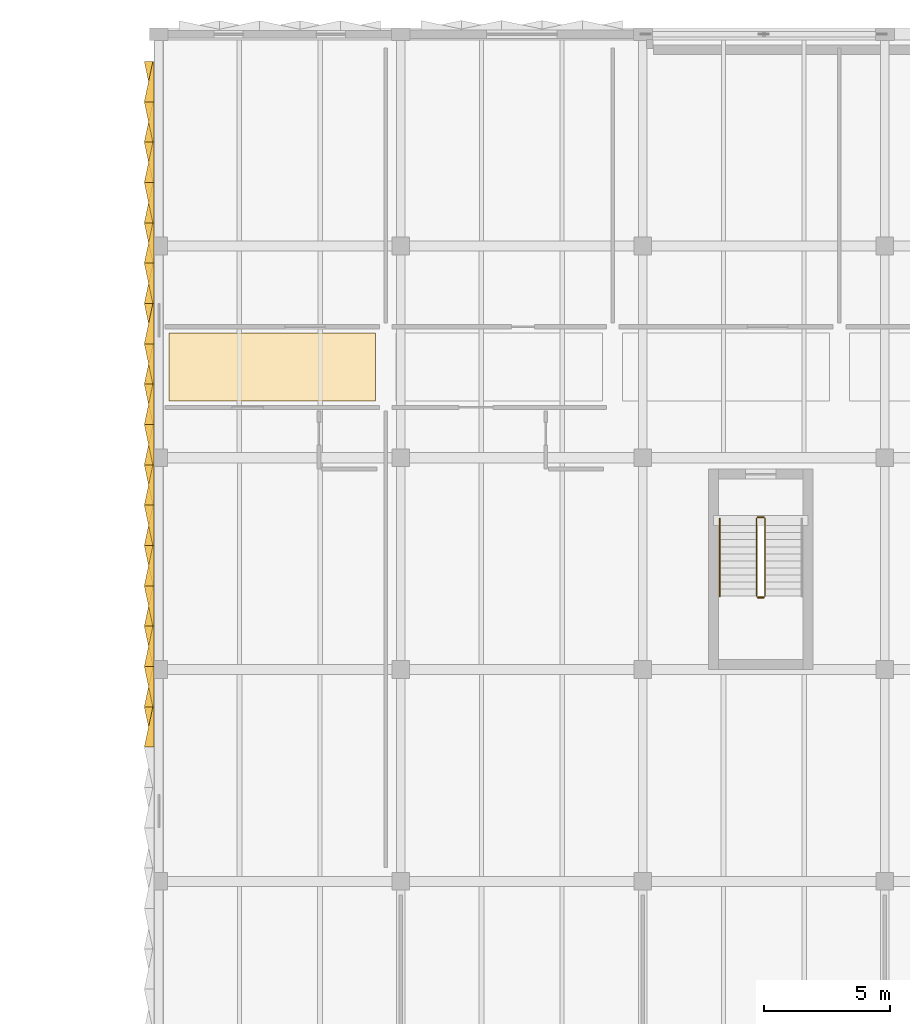
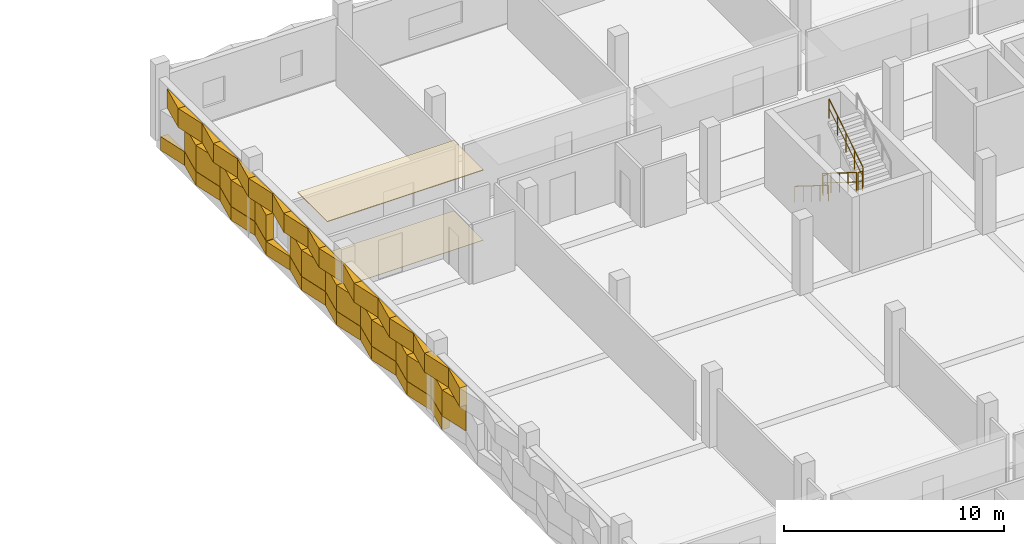
# One storey, part 54 of 57: 50 coverings, 5 railings.
"""IFC4 building model written with IfcOpenShell, lengths in metres."""

from ifc_helpers import new_model, si_unit, direction, frame, origin, origin_2d, place, context, subcontext, project, spatial, polyline, circle, outline, extrude, material, layer, layer_set, type_object, element, save


model = new_model("IFC4")

# Units and contexts
model_context = context("Model", 3, precision=1e-05, world=origin(), true_north=direction((0.0, 1.0)))
body_context = subcontext(model_context, "Body", "Model", "MODEL_VIEW")
ifc_project = project(units=[si_unit("LENGTHUNIT", "METRE"), si_unit("AREAUNIT", "SQUARE_METRE"), si_unit("VOLUMEUNIT", "CUBIC_METRE"), si_unit("PLANEANGLEUNIT", "RADIAN"), si_unit("MASSUNIT", "GRAM", prefix="KILO")], contexts=[model_context])

# Site, building, storey
site_placement = place(None, origin())
site = spatial("IfcSite", under=ifc_project, at=site_placement, CompositionType="ELEMENT")
building_placement = place(site_placement, origin())
building = spatial("IfcBuilding", under=site, at=building_placement, Name="Oolite Switchyard Hospital", CompositionType="ELEMENT")
storey_placement = place(building_placement, frame((0.0, 0.0, 17.800048828125)))
storey = spatial("IfcBuildingStorey", under=building, at=storey_placement, Name="L04", CompositionType="ELEMENT", Elevation=17.800048828125)

# Coverings
ifc_material_1 = material(Name="Hygienic washable mineral-fibre acoustic ceiling")
ifc_layer_1 = layer(ifc_material_1, 0.0400390625)
ifc_layer_set_1 = layer_set([ifc_layer_1], Name="COV-CEIL-AC60")
covering_type_1 = type_object("IfcCoveringType", Name="COV-CEIL-AC60", PredefinedType="CEILING", material=ifc_layer_set_1)
covering_1_placement = place(storey_placement, frame((0.0, 0.0, 3.885009765625)))
element("IfcCovering", 1, at=covering_1_placement, inside=storey, type_object=covering_type_1, Name="L04 East Inpatient Oncology Ward Corridor Ceiling 1", PredefinedType="CEILING", context=body_context, shape_type="SweptSolid", body=[
    extrude(outline(polyline([(134.800048828125, 119.85009765625), (143.0, 119.85009765625), (143.0, 122.550048828125), (134.800048828125, 122.550048828125), (134.800048828125, 119.85009765625)])), origin(), (0.0, 0.0, 1.0), 0.0400390625),
])
ifc_material_2 = material(Name="Precast oolitic limestone architectural concrete C40/50", Category="masonry")
covering_type_2 = type_object("IfcCoveringType", Name="COV-CHEV-COOL", PredefinedType="CLADDING", material=ifc_material_2)
covering_2_placement = place(storey_placement, frame((134.2099609375, 106.1201171875, 2.2900390625), z_axis=(0.0, 0.0, 1.0), x_axis=(0.0, 1.0, 0.0)))
element("IfcCovering", 2, at=covering_2_placement, inside=storey, type_object=covering_type_2, Name="L04 Chevron Precast Oolite Panel 892", PredefinedType="CLADDING", context=body_context, shape_type="SweptSolid", body=[
    extrude(outline(polyline([(0.0, 0.0), (1.599853515625, 0.0), (1.599853515625, 0.044921875), (0.0, 0.385009765625), (0.0, 0.0)])), origin(), (0.0, 0.0, 1.0), 1.0498046875),
])
covering_3_placement = place(storey_placement, frame((134.2099609375, 106.1201171875, 0.829833984375), z_axis=(0.0, 0.0, 1.0), x_axis=(0.0, 1.0, 0.0)))
element("IfcCovering", 3, at=covering_3_placement, inside=storey, type_object=covering_type_2, Name="L04 Chevron Precast Oolite Panel 893", PredefinedType="CLADDING", context=body_context, shape_type="SweptSolid", body=[
    extrude(outline(polyline([(0.0, 0.0), (1.599853515625, 0.0), (1.599853515625, 0.385009765625), (0.0, 0.044921875), (0.0, 0.0)])), origin(), (0.0, 0.0, 1.0), 1.440185546875),
])
covering_4_placement = place(storey_placement, frame((134.2099609375, 107.719970703125, 0.050048828125), z_axis=(0.0, 0.0, 1.0), x_axis=(0.0, 1.0, 0.0)))
element("IfcCovering", 4, at=covering_4_placement, inside=storey, type_object=covering_type_2, Name="L04 Chevron Precast Oolite Panel 894", PredefinedType="CLADDING", context=body_context, shape_type="SweptSolid", body=[
    extrude(outline(polyline([(0.0, 0.0), (1.60009765625, 0.0), (1.60009765625, 0.044921875), (0.0, 0.385009765625), (0.0, 0.0)])), origin(), (0.0, 0.0, 1.0), 0.760009765625),
])
covering_5_placement = place(storey_placement, frame((134.2099609375, 107.719970703125, 2.2900390625), z_axis=(0.0, 0.0, 1.0), x_axis=(0.0, 1.0, 0.0)))
element("IfcCovering", 5, at=covering_5_placement, inside=storey, type_object=covering_type_2, Name="L04 Chevron Precast Oolite Panel 895", PredefinedType="CLADDING", context=body_context, shape_type="SweptSolid", body=[
    extrude(outline(polyline([(0.0, 0.0), (1.60009765625, 0.0), (1.60009765625, 0.385009765625), (0.0, 0.044921875), (0.0, 0.0)])), origin(), (0.0, 0.0, 1.0), 1.0498046875),
])
covering_6_placement = place(storey_placement, frame((134.2099609375, 107.719970703125, 0.829833984375), z_axis=(0.0, 0.0, 1.0), x_axis=(0.0, 1.0, 0.0)))
element("IfcCovering", 6, at=covering_6_placement, inside=storey, type_object=covering_type_2, Name="L04 Chevron Precast Oolite Panel 896", PredefinedType="CLADDING", context=body_context, shape_type="SweptSolid", body=[
    extrude(outline(polyline([(0.0, 0.0), (1.60009765625, 0.0), (1.60009765625, 0.044921875), (0.0, 0.385009765625), (0.0, 0.0)])), origin(), (0.0, 0.0, 1.0), 1.440185546875),
])
covering_7_placement = place(storey_placement, frame((134.2099609375, 109.320068359375, 0.050048828125), z_axis=(0.0, 0.0, 1.0), x_axis=(0.0, 1.0, 0.0)))
element("IfcCovering", 7, at=covering_7_placement, inside=storey, type_object=covering_type_2, Name="L04 Chevron Precast Oolite Panel 897", PredefinedType="CLADDING", context=body_context, shape_type="SweptSolid", body=[
    extrude(outline(polyline([(0.0, 0.0), (1.599853515625, 0.0), (1.599853515625, 0.385009765625), (0.0, 0.044921875), (0.0, 0.0)])), origin(), (0.0, 0.0, 1.0), 0.760009765625),
])
covering_8_placement = place(storey_placement, frame((134.2099609375, 109.320068359375, 2.2900390625), z_axis=(0.0, 0.0, 1.0), x_axis=(0.0, 1.0, 0.0)))
element("IfcCovering", 8, at=covering_8_placement, inside=storey, type_object=covering_type_2, Name="L04 Chevron Precast Oolite Panel 898", PredefinedType="CLADDING", context=body_context, shape_type="SweptSolid", body=[
    extrude(outline(polyline([(0.0, 0.0), (1.599853515625, 0.0), (1.599853515625, 0.044921875), (0.0, 0.385009765625), (0.0, 0.0)])), origin(), (0.0, 0.0, 1.0), 1.0498046875),
])
covering_9_placement = place(storey_placement, frame((134.2099609375, 109.320068359375, 0.829833984375), z_axis=(0.0, 0.0, 1.0), x_axis=(0.0, 1.0, 0.0)))
element("IfcCovering", 9, at=covering_9_placement, inside=storey, type_object=covering_type_2, Name="L04 Chevron Precast Oolite Panel 899", PredefinedType="CLADDING", context=body_context, shape_type="SweptSolid", body=[
    extrude(outline(polyline([(0.0, 0.0), (1.599853515625, 0.0), (1.599853515625, 0.385009765625), (0.0, 0.044921875), (0.0, 0.0)])), origin(), (0.0, 0.0, 1.0), 1.440185546875),
])
covering_10_placement = place(storey_placement, frame((134.2099609375, 110.919921875, 0.050048828125), z_axis=(0.0, 0.0, 1.0), x_axis=(0.0, 1.0, 0.0)))
element("IfcCovering", 10, at=covering_10_placement, inside=storey, type_object=covering_type_2, Name="L04 Chevron Precast Oolite Panel 900", PredefinedType="CLADDING", context=body_context, shape_type="SweptSolid", body=[
    extrude(outline(polyline([(0.0, 0.0), (1.60009765625, 0.0), (1.60009765625, 0.044921875), (0.0, 0.385009765625), (0.0, 0.0)])), origin(), (0.0, 0.0, 1.0), 0.760009765625),
])
covering_11_placement = place(storey_placement, frame((134.2099609375, 110.919921875, 2.2900390625), z_axis=(0.0, 0.0, 1.0), x_axis=(0.0, 1.0, 0.0)))
element("IfcCovering", 11, at=covering_11_placement, inside=storey, type_object=covering_type_2, Name="L04 Chevron Precast Oolite Panel 901", PredefinedType="CLADDING", context=body_context, shape_type="SweptSolid", body=[
    extrude(outline(polyline([(0.0, 0.0), (1.60009765625, 0.0), (1.60009765625, 0.385009765625), (0.0, 0.044921875), (0.0, 0.0)])), origin(), (0.0, 0.0, 1.0), 1.0498046875),
])
covering_12_placement = place(storey_placement, frame((134.2099609375, 110.919921875, 0.829833984375), z_axis=(0.0, 0.0, 1.0), x_axis=(0.0, 1.0, 0.0)))
element("IfcCovering", 12, at=covering_12_placement, inside=storey, type_object=covering_type_2, Name="L04 Chevron Precast Oolite Panel 902", PredefinedType="CLADDING", context=body_context, shape_type="SweptSolid", body=[
    extrude(outline(polyline([(0.0, 0.0), (1.60009765625, 0.0), (1.60009765625, 0.044921875), (0.0, 0.385009765625), (0.0, 0.0)])), origin(), (0.0, 0.0, 1.0), 1.440185546875),
])
covering_13_placement = place(storey_placement, frame((134.2099609375, 112.52001953125, 0.050048828125), z_axis=(0.0, 0.0, 1.0), x_axis=(0.0, 1.0, 0.0)))
element("IfcCovering", 13, at=covering_13_placement, inside=storey, type_object=covering_type_2, Name="L04 Chevron Precast Oolite Panel 903", PredefinedType="CLADDING", context=body_context, shape_type="SweptSolid", body=[
    extrude(outline(polyline([(0.0, 0.0), (1.60009765625, 0.0), (1.60009765625, 0.385009765625), (0.0, 0.044921875), (0.0, 0.0)])), origin(), (0.0, 0.0, 1.0), 0.760009765625),
])
covering_14_placement = place(storey_placement, frame((134.2099609375, 112.52001953125, 2.2900390625), z_axis=(0.0, 0.0, 1.0), x_axis=(0.0, 1.0, 0.0)))
element("IfcCovering", 14, at=covering_14_placement, inside=storey, type_object=covering_type_2, Name="L04 Chevron Precast Oolite Panel 904", PredefinedType="CLADDING", context=body_context, shape_type="SweptSolid", body=[
    extrude(outline(polyline([(0.0, 0.0), (1.60009765625, 0.0), (1.60009765625, 0.044921875), (0.0, 0.385009765625), (0.0, 0.0)])), origin(), (0.0, 0.0, 1.0), 1.0498046875),
])
covering_15_placement = place(storey_placement, frame((134.2099609375, 112.52001953125, 0.829833984375), z_axis=(0.0, 0.0, 1.0), x_axis=(0.0, 1.0, 0.0)))
element("IfcCovering", 15, at=covering_15_placement, inside=storey, type_object=covering_type_2, Name="L04 Chevron Precast Oolite Panel 905", PredefinedType="CLADDING", context=body_context, shape_type="SweptSolid", body=[
    extrude(outline(polyline([(0.0, 0.0), (1.60009765625, 0.0), (1.60009765625, 0.385009765625), (0.0, 0.044921875), (0.0, 0.0)])), origin(), (0.0, 0.0, 1.0), 1.440185546875),
])
covering_16_placement = place(storey_placement, frame((134.2099609375, 114.1201171875, 0.050048828125), z_axis=(0.0, 0.0, 1.0), x_axis=(0.0, 1.0, 0.0)))
element("IfcCovering", 16, at=covering_16_placement, inside=storey, type_object=covering_type_2, Name="L04 Chevron Precast Oolite Panel 906", PredefinedType="CLADDING", context=body_context, shape_type="SweptSolid", body=[
    extrude(outline(polyline([(0.0, 0.0), (1.599853515625, 0.0), (1.599853515625, 0.044921875), (0.0, 0.385009765625), (0.0, 0.0)])), origin(), (0.0, 0.0, 1.0), 0.760009765625),
])
covering_17_placement = place(storey_placement, frame((134.2099609375, 114.1201171875, 2.2900390625), z_axis=(0.0, 0.0, 1.0), x_axis=(0.0, 1.0, 0.0)))
element("IfcCovering", 17, at=covering_17_placement, inside=storey, type_object=covering_type_2, Name="L04 Chevron Precast Oolite Panel 907", PredefinedType="CLADDING", context=body_context, shape_type="SweptSolid", body=[
    extrude(outline(polyline([(0.0, 0.0), (1.599853515625, 0.0), (1.599853515625, 0.385009765625), (0.0, 0.044921875), (0.0, 0.0)])), origin(), (0.0, 0.0, 1.0), 1.0498046875),
])
covering_18_placement = place(storey_placement, frame((134.2099609375, 114.1201171875, 0.829833984375), z_axis=(0.0, 0.0, 1.0), x_axis=(0.0, 1.0, 0.0)))
element("IfcCovering", 18, at=covering_18_placement, inside=storey, type_object=covering_type_2, Name="L04 Chevron Precast Oolite Panel 908", PredefinedType="CLADDING", context=body_context, shape_type="SweptSolid", body=[
    extrude(outline(polyline([(0.0, 0.0), (1.599853515625, 0.0), (1.599853515625, 0.044921875), (0.0, 0.385009765625), (0.0, 0.0)])), origin(), (0.0, 0.0, 1.0), 1.440185546875),
])
covering_19_placement = place(storey_placement, frame((134.2099609375, 115.719970703125, 0.050048828125), z_axis=(0.0, 0.0, 1.0), x_axis=(0.0, 1.0, 0.0)))
element("IfcCovering", 19, at=covering_19_placement, inside=storey, type_object=covering_type_2, Name="L04 Chevron Precast Oolite Panel 909", PredefinedType="CLADDING", context=body_context, shape_type="SweptSolid", body=[
    extrude(outline(polyline([(0.0, 0.0), (1.60009765625, 0.0), (1.60009765625, 0.385009765625), (0.0, 0.044921875), (0.0, 0.0)])), origin(), (0.0, 0.0, 1.0), 0.760009765625),
])
covering_20_placement = place(storey_placement, frame((134.2099609375, 115.719970703125, 2.2900390625), z_axis=(0.0, 0.0, 1.0), x_axis=(0.0, 1.0, 0.0)))
element("IfcCovering", 20, at=covering_20_placement, inside=storey, type_object=covering_type_2, Name="L04 Chevron Precast Oolite Panel 910", PredefinedType="CLADDING", context=body_context, shape_type="SweptSolid", body=[
    extrude(outline(polyline([(0.0, 0.0), (1.60009765625, 0.0), (1.60009765625, 0.044921875), (0.0, 0.385009765625), (0.0, 0.0)])), origin(), (0.0, 0.0, 1.0), 1.0498046875),
])
covering_21_placement = place(storey_placement, frame((134.2099609375, 115.719970703125, 0.829833984375), z_axis=(0.0, 0.0, 1.0), x_axis=(0.0, 1.0, 0.0)))
element("IfcCovering", 21, at=covering_21_placement, inside=storey, type_object=covering_type_2, Name="L04 Chevron Precast Oolite Panel 911", PredefinedType="CLADDING", context=body_context, shape_type="SweptSolid", body=[
    extrude(outline(polyline([(0.0, 0.0), (1.60009765625, 0.0), (1.60009765625, 0.385009765625), (0.0, 0.044921875), (0.0, 0.0)])), origin(), (0.0, 0.0, 1.0), 1.440185546875),
])
covering_22_placement = place(storey_placement, frame((134.2099609375, 117.320068359375, 0.050048828125), z_axis=(0.0, 0.0, 1.0), x_axis=(0.0, 1.0, 0.0)))
element("IfcCovering", 22, at=covering_22_placement, inside=storey, type_object=covering_type_2, Name="L04 Chevron Precast Oolite Panel 912", PredefinedType="CLADDING", context=body_context, shape_type="SweptSolid", body=[
    extrude(outline(polyline([(0.0, 0.0), (1.599853515625, 0.0), (1.599853515625, 0.044921875), (0.0, 0.385009765625), (0.0, 0.0)])), origin(), (0.0, 0.0, 1.0), 0.760009765625),
])
covering_23_placement = place(storey_placement, frame((134.2099609375, 117.320068359375, 2.2900390625), z_axis=(0.0, 0.0, 1.0), x_axis=(0.0, 1.0, 0.0)))
element("IfcCovering", 23, at=covering_23_placement, inside=storey, type_object=covering_type_2, Name="L04 Chevron Precast Oolite Panel 913", PredefinedType="CLADDING", context=body_context, shape_type="SweptSolid", body=[
    extrude(outline(polyline([(0.0, 0.0), (1.599853515625, 0.0), (1.599853515625, 0.385009765625), (0.0, 0.044921875), (0.0, 0.0)])), origin(), (0.0, 0.0, 1.0), 1.0498046875),
])
covering_24_placement = place(storey_placement, frame((134.2099609375, 117.320068359375, 0.829833984375), z_axis=(0.0, 0.0, 1.0), x_axis=(0.0, 1.0, 0.0)))
element("IfcCovering", 24, at=covering_24_placement, inside=storey, type_object=covering_type_2, Name="L04 Chevron Precast Oolite Panel 914", PredefinedType="CLADDING", context=body_context, shape_type="SweptSolid", body=[
    extrude(outline(polyline([(0.0, 0.0), (1.599853515625, 0.0), (1.599853515625, 0.044921875), (0.0, 0.385009765625), (0.0, 0.0)])), origin(), (0.0, 0.0, 1.0), 1.440185546875),
])
covering_25_placement = place(storey_placement, frame((134.2099609375, 118.919921875, 0.050048828125), z_axis=(0.0, 0.0, 1.0), x_axis=(0.0, 1.0, 0.0)))
element("IfcCovering", 25, at=covering_25_placement, inside=storey, type_object=covering_type_2, Name="L04 Chevron Precast Oolite Panel 915", PredefinedType="CLADDING", context=body_context, shape_type="SweptSolid", body=[
    extrude(outline(polyline([(0.0, 0.0), (1.60009765625, 0.0), (1.60009765625, 0.385009765625), (0.0, 0.044921875), (0.0, 0.0)])), origin(), (0.0, 0.0, 1.0), 0.760009765625),
])
covering_26_placement = place(storey_placement, frame((134.2099609375, 118.919921875, 2.2900390625), z_axis=(0.0, 0.0, 1.0), x_axis=(0.0, 1.0, 0.0)))
element("IfcCovering", 26, at=covering_26_placement, inside=storey, type_object=covering_type_2, Name="L04 Chevron Precast Oolite Panel 916", PredefinedType="CLADDING", context=body_context, shape_type="SweptSolid", body=[
    extrude(outline(polyline([(0.0, 0.0), (1.60009765625, 0.0), (1.60009765625, 0.044921875), (0.0, 0.385009765625), (0.0, 0.0)])), origin(), (0.0, 0.0, 1.0), 1.0498046875),
])
covering_27_placement = place(storey_placement, frame((134.2099609375, 118.919921875, 0.829833984375), z_axis=(0.0, 0.0, 1.0), x_axis=(0.0, 1.0, 0.0)))
element("IfcCovering", 27, at=covering_27_placement, inside=storey, type_object=covering_type_2, Name="L04 Chevron Precast Oolite Panel 917", PredefinedType="CLADDING", context=body_context, shape_type="SweptSolid", body=[
    extrude(outline(polyline([(0.0, 0.0), (1.60009765625, 0.0), (1.60009765625, 0.385009765625), (0.0, 0.044921875), (0.0, 0.0)])), origin(), (0.0, 0.0, 1.0), 1.440185546875),
])
covering_28_placement = place(storey_placement, frame((134.2099609375, 120.52001953125, 0.050048828125), z_axis=(0.0, 0.0, 1.0), x_axis=(0.0, 1.0, 0.0)))
element("IfcCovering", 28, at=covering_28_placement, inside=storey, type_object=covering_type_2, Name="L04 Chevron Precast Oolite Panel 918", PredefinedType="CLADDING", context=body_context, shape_type="SweptSolid", body=[
    extrude(outline(polyline([(0.0, 0.0), (1.60009765625, 0.0), (1.60009765625, 0.044921875), (0.0, 0.385009765625), (0.0, 0.0)])), origin(), (0.0, 0.0, 1.0), 0.760009765625),
])
covering_29_placement = place(storey_placement, frame((134.2099609375, 120.52001953125, 2.2900390625), z_axis=(0.0, 0.0, 1.0), x_axis=(0.0, 1.0, 0.0)))
element("IfcCovering", 29, at=covering_29_placement, inside=storey, type_object=covering_type_2, Name="L04 Chevron Precast Oolite Panel 919", PredefinedType="CLADDING", context=body_context, shape_type="SweptSolid", body=[
    extrude(outline(polyline([(0.0, 0.0), (1.60009765625, 0.0), (1.60009765625, 0.385009765625), (0.0, 0.044921875), (0.0, 0.0)])), origin(), (0.0, 0.0, 1.0), 1.0498046875),
])
covering_30_placement = place(storey_placement, frame((134.2099609375, 120.52001953125, 0.829833984375), z_axis=(0.0, 0.0, 1.0), x_axis=(0.0, 1.0, 0.0)))
element("IfcCovering", 30, at=covering_30_placement, inside=storey, type_object=covering_type_2, Name="L04 Chevron Precast Oolite Panel 920", PredefinedType="CLADDING", context=body_context, shape_type="SweptSolid", body=[
    extrude(outline(polyline([(0.0, 0.0), (1.60009765625, 0.0), (1.60009765625, 0.044921875), (0.0, 0.385009765625), (0.0, 0.0)])), origin(), (0.0, 0.0, 1.0), 1.440185546875),
])
covering_31_placement = place(storey_placement, frame((134.2099609375, 122.1201171875, 0.050048828125), z_axis=(0.0, 0.0, 1.0), x_axis=(0.0, 1.0, 0.0)))
element("IfcCovering", 31, at=covering_31_placement, inside=storey, type_object=covering_type_2, Name="L04 Chevron Precast Oolite Panel 921", PredefinedType="CLADDING", context=body_context, shape_type="SweptSolid", body=[
    extrude(outline(polyline([(0.0, 0.0), (1.599853515625, 0.0), (1.599853515625, 0.385009765625), (0.0, 0.044921875), (0.0, 0.0)])), origin(), (0.0, 0.0, 1.0), 0.760009765625),
])
covering_32_placement = place(storey_placement, frame((134.2099609375, 122.1201171875, 2.2900390625), z_axis=(0.0, 0.0, 1.0), x_axis=(0.0, 1.0, 0.0)))
element("IfcCovering", 32, at=covering_32_placement, inside=storey, type_object=covering_type_2, Name="L04 Chevron Precast Oolite Panel 922", PredefinedType="CLADDING", context=body_context, shape_type="SweptSolid", body=[
    extrude(outline(polyline([(0.0, 0.0), (1.599853515625, 0.0), (1.599853515625, 0.044921875), (0.0, 0.385009765625), (0.0, 0.0)])), origin(), (0.0, 0.0, 1.0), 1.0498046875),
])
covering_33_placement = place(storey_placement, frame((134.2099609375, 123.719970703125, 0.050048828125), z_axis=(0.0, 0.0, 1.0), x_axis=(0.0, 1.0, 0.0)))
element("IfcCovering", 33, at=covering_33_placement, inside=storey, type_object=covering_type_2, Name="L04 Chevron Precast Oolite Panel 923", PredefinedType="CLADDING", context=body_context, shape_type="SweptSolid", body=[
    extrude(outline(polyline([(0.0, 0.0), (1.60009765625, 0.0), (1.60009765625, 0.044921875), (0.0, 0.385009765625), (0.0, 0.0)])), origin(), (0.0, 0.0, 1.0), 0.760009765625),
])
covering_34_placement = place(storey_placement, frame((134.2099609375, 123.719970703125, 2.2900390625), z_axis=(0.0, 0.0, 1.0), x_axis=(0.0, 1.0, 0.0)))
element("IfcCovering", 34, at=covering_34_placement, inside=storey, type_object=covering_type_2, Name="L04 Chevron Precast Oolite Panel 924", PredefinedType="CLADDING", context=body_context, shape_type="SweptSolid", body=[
    extrude(outline(polyline([(0.0, 0.0), (1.60009765625, 0.0), (1.60009765625, 0.385009765625), (0.0, 0.044921875), (0.0, 0.0)])), origin(), (0.0, 0.0, 1.0), 1.0498046875),
])
covering_35_placement = place(storey_placement, frame((134.2099609375, 123.719970703125, 0.829833984375), z_axis=(0.0, 0.0, 1.0), x_axis=(0.0, 1.0, 0.0)))
element("IfcCovering", 35, at=covering_35_placement, inside=storey, type_object=covering_type_2, Name="L04 Chevron Precast Oolite Panel 925", PredefinedType="CLADDING", context=body_context, shape_type="SweptSolid", body=[
    extrude(outline(polyline([(0.0, 0.0), (1.60009765625, 0.0), (1.60009765625, 0.044921875), (0.0, 0.385009765625), (0.0, 0.0)])), origin(), (0.0, 0.0, 1.0), 1.440185546875),
])
covering_36_placement = place(storey_placement, frame((134.2099609375, 125.320068359375, 0.050048828125), z_axis=(0.0, 0.0, 1.0), x_axis=(0.0, 1.0, 0.0)))
element("IfcCovering", 36, at=covering_36_placement, inside=storey, type_object=covering_type_2, Name="L04 Chevron Precast Oolite Panel 926", PredefinedType="CLADDING", context=body_context, shape_type="SweptSolid", body=[
    extrude(outline(polyline([(0.0, 0.0), (1.599853515625, 0.0), (1.599853515625, 0.385009765625), (0.0, 0.044921875), (0.0, 0.0)])), origin(), (0.0, 0.0, 1.0), 0.760009765625),
])
covering_37_placement = place(storey_placement, frame((134.2099609375, 125.320068359375, 2.2900390625), z_axis=(0.0, 0.0, 1.0), x_axis=(0.0, 1.0, 0.0)))
element("IfcCovering", 37, at=covering_37_placement, inside=storey, type_object=covering_type_2, Name="L04 Chevron Precast Oolite Panel 927", PredefinedType="CLADDING", context=body_context, shape_type="SweptSolid", body=[
    extrude(outline(polyline([(0.0, 0.0), (1.599853515625, 0.0), (1.599853515625, 0.044921875), (0.0, 0.385009765625), (0.0, 0.0)])), origin(), (0.0, 0.0, 1.0), 1.0498046875),
])
covering_38_placement = place(storey_placement, frame((134.2099609375, 125.320068359375, 0.829833984375), z_axis=(0.0, 0.0, 1.0), x_axis=(0.0, 1.0, 0.0)))
element("IfcCovering", 38, at=covering_38_placement, inside=storey, type_object=covering_type_2, Name="L04 Chevron Precast Oolite Panel 928", PredefinedType="CLADDING", context=body_context, shape_type="SweptSolid", body=[
    extrude(outline(polyline([(0.0, 0.0), (1.599853515625, 0.0), (1.599853515625, 0.385009765625), (0.0, 0.044921875), (0.0, 0.0)])), origin(), (0.0, 0.0, 1.0), 1.440185546875),
])
covering_39_placement = place(storey_placement, frame((134.2099609375, 126.919921875, 0.050048828125), z_axis=(0.0, 0.0, 1.0), x_axis=(0.0, 1.0, 0.0)))
element("IfcCovering", 39, at=covering_39_placement, inside=storey, type_object=covering_type_2, Name="L04 Chevron Precast Oolite Panel 929", PredefinedType="CLADDING", context=body_context, shape_type="SweptSolid", body=[
    extrude(outline(polyline([(0.0, 0.0), (1.60009765625, 0.0), (1.60009765625, 0.044921875), (0.0, 0.385009765625), (0.0, 0.0)])), origin(), (0.0, 0.0, 1.0), 0.760009765625),
])
covering_40_placement = place(storey_placement, frame((134.2099609375, 126.919921875, 2.2900390625), z_axis=(0.0, 0.0, 1.0), x_axis=(0.0, 1.0, 0.0)))
element("IfcCovering", 40, at=covering_40_placement, inside=storey, type_object=covering_type_2, Name="L04 Chevron Precast Oolite Panel 930", PredefinedType="CLADDING", context=body_context, shape_type="SweptSolid", body=[
    extrude(outline(polyline([(0.0, 0.0), (1.60009765625, 0.0), (1.60009765625, 0.385009765625), (0.0, 0.044921875), (0.0, 0.0)])), origin(), (0.0, 0.0, 1.0), 1.0498046875),
])
covering_41_placement = place(storey_placement, frame((134.2099609375, 126.919921875, 0.829833984375), z_axis=(0.0, 0.0, 1.0), x_axis=(0.0, 1.0, 0.0)))
element("IfcCovering", 41, at=covering_41_placement, inside=storey, type_object=covering_type_2, Name="L04 Chevron Precast Oolite Panel 931", PredefinedType="CLADDING", context=body_context, shape_type="SweptSolid", body=[
    extrude(outline(polyline([(0.0, 0.0), (1.60009765625, 0.0), (1.60009765625, 0.044921875), (0.0, 0.385009765625), (0.0, 0.0)])), origin(), (0.0, 0.0, 1.0), 1.440185546875),
])
covering_42_placement = place(storey_placement, frame((134.2099609375, 128.52001953125, 0.050048828125), z_axis=(0.0, 0.0, 1.0), x_axis=(0.0, 1.0, 0.0)))
element("IfcCovering", 42, at=covering_42_placement, inside=storey, type_object=covering_type_2, Name="L04 Chevron Precast Oolite Panel 932", PredefinedType="CLADDING", context=body_context, shape_type="SweptSolid", body=[
    extrude(outline(polyline([(0.0, 0.0), (1.60009765625, 0.0), (1.60009765625, 0.385009765625), (0.0, 0.044921875), (0.0, 0.0)])), origin(), (0.0, 0.0, 1.0), 0.760009765625),
])
covering_43_placement = place(storey_placement, frame((134.2099609375, 128.52001953125, 2.2900390625), z_axis=(0.0, 0.0, 1.0), x_axis=(0.0, 1.0, 0.0)))
element("IfcCovering", 43, at=covering_43_placement, inside=storey, type_object=covering_type_2, Name="L04 Chevron Precast Oolite Panel 933", PredefinedType="CLADDING", context=body_context, shape_type="SweptSolid", body=[
    extrude(outline(polyline([(0.0, 0.0), (1.60009765625, 0.0), (1.60009765625, 0.044921875), (0.0, 0.385009765625), (0.0, 0.0)])), origin(), (0.0, 0.0, 1.0), 1.0498046875),
])
covering_44_placement = place(storey_placement, frame((134.2099609375, 128.52001953125, 0.829833984375), z_axis=(0.0, 0.0, 1.0), x_axis=(0.0, 1.0, 0.0)))
element("IfcCovering", 44, at=covering_44_placement, inside=storey, type_object=covering_type_2, Name="L04 Chevron Precast Oolite Panel 934", PredefinedType="CLADDING", context=body_context, shape_type="SweptSolid", body=[
    extrude(outline(polyline([(0.0, 0.0), (1.60009765625, 0.0), (1.60009765625, 0.385009765625), (0.0, 0.044921875), (0.0, 0.0)])), origin(), (0.0, 0.0, 1.0), 1.440185546875),
])
covering_45_placement = place(storey_placement, frame((134.2099609375, 130.1201171875, 0.050048828125), z_axis=(0.0, 0.0, 1.0), x_axis=(0.0, 1.0, 0.0)))
element("IfcCovering", 45, at=covering_45_placement, inside=storey, type_object=covering_type_2, Name="L04 Chevron Precast Oolite Panel 935", PredefinedType="CLADDING", context=body_context, shape_type="SweptSolid", body=[
    extrude(outline(polyline([(0.0, 0.0), (1.599853515625, 0.0), (1.599853515625, 0.044921875), (0.0, 0.385009765625), (0.0, 0.0)])), origin(), (0.0, 0.0, 1.0), 0.760009765625),
])
covering_46_placement = place(storey_placement, frame((134.2099609375, 130.1201171875, 2.2900390625), z_axis=(0.0, 0.0, 1.0), x_axis=(0.0, 1.0, 0.0)))
element("IfcCovering", 46, at=covering_46_placement, inside=storey, type_object=covering_type_2, Name="L04 Chevron Precast Oolite Panel 936", PredefinedType="CLADDING", context=body_context, shape_type="SweptSolid", body=[
    extrude(outline(polyline([(0.0, 0.0), (1.599853515625, 0.0), (1.599853515625, 0.385009765625), (0.0, 0.044921875), (0.0, 0.0)])), origin(), (0.0, 0.0, 1.0), 1.0498046875),
])
covering_47_placement = place(storey_placement, frame((134.2099609375, 130.1201171875, 0.829833984375), z_axis=(0.0, 0.0, 1.0), x_axis=(0.0, 1.0, 0.0)))
element("IfcCovering", 47, at=covering_47_placement, inside=storey, type_object=covering_type_2, Name="L04 Chevron Precast Oolite Panel 937", PredefinedType="CLADDING", context=body_context, shape_type="SweptSolid", body=[
    extrude(outline(polyline([(0.0, 0.0), (1.599853515625, 0.0), (1.599853515625, 0.044921875), (0.0, 0.385009765625), (0.0, 0.0)])), origin(), (0.0, 0.0, 1.0), 1.440185546875),
])
covering_48_placement = place(storey_placement, frame((134.2099609375, 131.719970703125, 0.050048828125), z_axis=(0.0, 0.0, 1.0), x_axis=(0.0, 1.0, 0.0)))
element("IfcCovering", 48, at=covering_48_placement, inside=storey, type_object=covering_type_2, Name="L04 Chevron Precast Oolite Panel 938", PredefinedType="CLADDING", context=body_context, shape_type="SweptSolid", body=[
    extrude(outline(polyline([(0.0, 0.0), (1.60009765625, 0.0), (1.60009765625, 0.385009765625), (0.0, 0.044921875), (0.0, 0.0)])), origin(), (0.0, 0.0, 1.0), 0.760009765625),
])
covering_49_placement = place(storey_placement, frame((134.2099609375, 131.719970703125, 2.2900390625), z_axis=(0.0, 0.0, 1.0), x_axis=(0.0, 1.0, 0.0)))
element("IfcCovering", 49, at=covering_49_placement, inside=storey, type_object=covering_type_2, Name="L04 Chevron Precast Oolite Panel 939", PredefinedType="CLADDING", context=body_context, shape_type="SweptSolid", body=[
    extrude(outline(polyline([(0.0, 0.0), (1.60009765625, 0.0), (1.60009765625, 0.044921875), (0.0, 0.385009765625), (0.0, 0.0)])), origin(), (0.0, 0.0, 1.0), 1.0498046875),
])
ifc_material_3 = material(Name="Epoxy terrazzo seamless clinical flooring")
ifc_layer_2 = layer(ifc_material_3, 0.02001953125)
ifc_layer_set_2 = layer_set([ifc_layer_2], Name="COV-FLR-TER20")
covering_type_3 = type_object("IfcCoveringType", Name="COV-FLR-TER20", PredefinedType="FLOORING", material=ifc_layer_set_2)
covering_50_placement = place(storey_placement, origin())
element("IfcCovering", 50, at=covering_50_placement, inside=storey, type_object=covering_type_3, Name="L04 East Inpatient Oncology Ward Corridor Flooring 1", PredefinedType="FLOORING", context=body_context, shape_type="SweptSolid", body=[
    extrude(outline(polyline([(134.800048828125, 119.85009765625), (143.0, 119.85009765625), (143.0, 122.550048828125), (134.800048828125, 122.550048828125), (134.800048828125, 119.85009765625)])), origin(), (0.0, 0.0, 1.0), 0.02001953125),
])

# Railings
ifc_material_4 = material(Name="Galvanized painted architectural steel handrail", Category="steel")
railing_type_1 = type_object("IfcRailingType", Name="RL-STAIR-GRD", PredefinedType="GUARDRAIL", material=ifc_material_4)
railing_1_placement = place(storey_placement, frame((158.110107421875, 115.18994140625, 0.175048828125)))
element("IfcRailing", 51, at=railing_1_placement, inside=storey, type_object=railing_type_1, Name="L04 ST-03 stair guard 1", PredefinedType="GUARDRAIL", context=body_context, shape_type="SweptSolid", body=[
    extrude(circle(Radius=0.02392578125, at=origin_2d()), frame((0.0, 0.0, 1.076171875), z_axis=(0.0, -0.848009633417, 0.529980812513), x_axis=(1.0, 0.0, 0.0)), (0.0, 0.0, 1.0), 3.6318359375),
    extrude(circle(Radius=0.015625, at=origin_2d()), frame((0.0, 0.0, 0.550048828125), z_axis=(0.0, -0.848009633417, 0.529980812513), x_axis=(1.0, 0.0, 0.0)), (0.0, 0.0, 1.0), 3.6318359375),
    extrude(circle(Radius=0.02099609375, at=origin_2d()), origin(), (0.0, 0.0, 1.0), 1.052001953125),
    extrude(circle(Radius=0.02099609375, at=origin_2d()), frame((0.0, -0.77001953125, 0.481201171875)), (0.0, 0.0, 1.0), 1.052001953125),
    extrude(circle(Radius=0.02099609375, at=origin_2d()), frame((0.0, -1.5400390625, 0.96240234375)), (0.0, 0.0, 1.0), 1.052001953125),
    extrude(circle(Radius=0.02099609375, at=origin_2d()), frame((0.0, -2.309814453125, 1.443603515625)), (0.0, 0.0, 1.0), 1.052001953125),
    extrude(circle(Radius=0.02099609375, at=origin_2d()), frame((0.0, -3.079833984375, 1.9248046875)), (0.0, 0.0, 1.0), 1.052001953125),
])
railing_2_placement = place(storey_placement, frame((158.159912109375, 112.06005859375, 2.099853515625)))
element("IfcRailing", 52, at=railing_2_placement, inside=storey, type_object=railing_type_1, Name="L04 ST-03 stair guard 2", PredefinedType="GUARDRAIL", context=body_context, shape_type="SweptSolid", body=[
    extrude(circle(Radius=0.02392578125, at=origin_2d()), frame((0.0, 0.0, 1.076171875), z_axis=(1.0, 0.0, 0.0), x_axis=(0.0, 1.0, 0.0)), (0.0, 0.0, 1.0), 0.239990234375),
    extrude(circle(Radius=0.015625, at=origin_2d()), frame((0.0, 0.0, 0.550048828125), z_axis=(1.0, 0.0, 0.0), x_axis=(0.0, 1.0, 0.0)), (0.0, 0.0, 1.0), 0.239990234375),
    extrude(circle(Radius=0.02099609375, at=origin_2d()), origin(), (0.0, 0.0, 1.0), 1.052001953125),
    extrude(circle(Radius=0.02099609375, at=origin_2d()), frame((0.239990234375, 0.0, 0.0)), (0.0, 0.0, 1.0), 1.052001953125),
])
railing_3_placement = place(storey_placement, frame((158.449951171875, 112.110107421875, 2.27490234375)))
element("IfcRailing", 53, at=railing_3_placement, inside=storey, type_object=railing_type_1, Name="L04 ST-03 stair guard 3", PredefinedType="GUARDRAIL", context=body_context, shape_type="SweptSolid", body=[
    extrude(circle(Radius=0.02392578125, at=origin_2d()), frame((0.0, 0.0, 1.076171875), z_axis=(0.0, 0.847979421464, 0.530029150871), x_axis=(-1.0, 0.0, 0.0)), (0.0, 0.0, 1.0), 3.632080078125),
    extrude(circle(Radius=0.015625, at=origin_2d()), frame((0.0, 0.0, 0.550048828125), z_axis=(0.0, 0.847979421464, 0.530029150871), x_axis=(-1.0, 0.0, 0.0)), (0.0, 0.0, 1.0), 3.632080078125),
    extrude(circle(Radius=0.02099609375, at=origin_2d()), origin(), (0.0, 0.0, 1.0), 1.052001953125),
    extrude(circle(Radius=0.02099609375, at=origin_2d()), frame((0.0, 0.77001953125, 0.481201171875)), (0.0, 0.0, 1.0), 1.052001953125),
    extrude(circle(Radius=0.02099609375, at=origin_2d()), frame((0.0, 1.5400390625, 0.96240234375)), (0.0, 0.0, 1.0), 1.052001953125),
    extrude(circle(Radius=0.02099609375, at=origin_2d()), frame((0.0, 2.309814453125, 1.44384765625)), (0.0, 0.0, 1.0), 1.052001953125),
    extrude(circle(Radius=0.02099609375, at=origin_2d()), frame((0.0, 3.079833984375, 1.925048828125)), (0.0, 0.0, 1.0), 1.052001953125),
])
railing_4_placement = place(storey_placement, frame((158.159912109375, 115.239990234375, 0.0)))
element("IfcRailing", 54, at=railing_4_placement, inside=storey, type_object=railing_type_1, Name="L04 ST-03 stair guard 4", PredefinedType="GUARDRAIL", context=body_context, shape_type="SweptSolid", body=[
    extrude(circle(Radius=0.02392578125, at=origin_2d()), frame((0.0, 0.0, 1.076171875), z_axis=(1.0, 0.0, 0.0), x_axis=(0.0, 1.0, 0.0)), (0.0, 0.0, 1.0), 0.239990234375),
    extrude(circle(Radius=0.015625, at=origin_2d()), frame((0.0, 0.0, 0.550048828125), z_axis=(1.0, 0.0, 0.0), x_axis=(0.0, 1.0, 0.0)), (0.0, 0.0, 1.0), 0.239990234375),
    extrude(circle(Radius=0.02099609375, at=origin_2d()), origin(), (0.0, 0.0, 1.0), 1.052001953125),
    extrude(circle(Radius=0.02099609375, at=origin_2d()), frame((0.239990234375, 0.0, 0.0)), (0.0, 0.0, 1.0), 1.052001953125),
])
railing_type_2 = type_object("IfcRailingType", Name="RL-STAIR-HND", PredefinedType="HANDRAIL", material=ifc_material_4)
railing_5_placement = place(storey_placement, frame((156.64990234375, 115.18994140625, 0.175048828125)))
element("IfcRailing", 55, at=railing_5_placement, inside=storey, type_object=railing_type_2, Name="L04 ST-03 stair handrail 1", PredefinedType="HANDRAIL", context=body_context, shape_type="SweptSolid", body=[
    extrude(circle(Radius=0.02392578125, at=origin_2d()), frame((0.0, 0.0, 0.8759765625), z_axis=(0.0, -0.848009633417, 0.529980812513), x_axis=(1.0, 0.0, 0.0)), (0.0, 0.0, 1.0), 3.6318359375),
    extrude(circle(Radius=0.02099609375, at=origin_2d()), origin(), (0.0, 0.0, 1.0), 0.851806640625),
    extrude(circle(Radius=0.02099609375, at=origin_2d()), frame((0.0, -0.77001953125, 0.481201171875)), (0.0, 0.0, 1.0), 0.851806640625),
    extrude(circle(Radius=0.02099609375, at=origin_2d()), frame((0.0, -1.5400390625, 0.96240234375)), (0.0, 0.0, 1.0), 0.851806640625),
    extrude(circle(Radius=0.02099609375, at=origin_2d()), frame((0.0, -2.309814453125, 1.443603515625)), (0.0, 0.0, 1.0), 0.851806640625),
    extrude(circle(Radius=0.02099609375, at=origin_2d()), frame((0.0, -3.079833984375, 1.9248046875)), (0.0, 0.0, 1.0), 0.851806640625),
])

save(model, "model.ifc")
